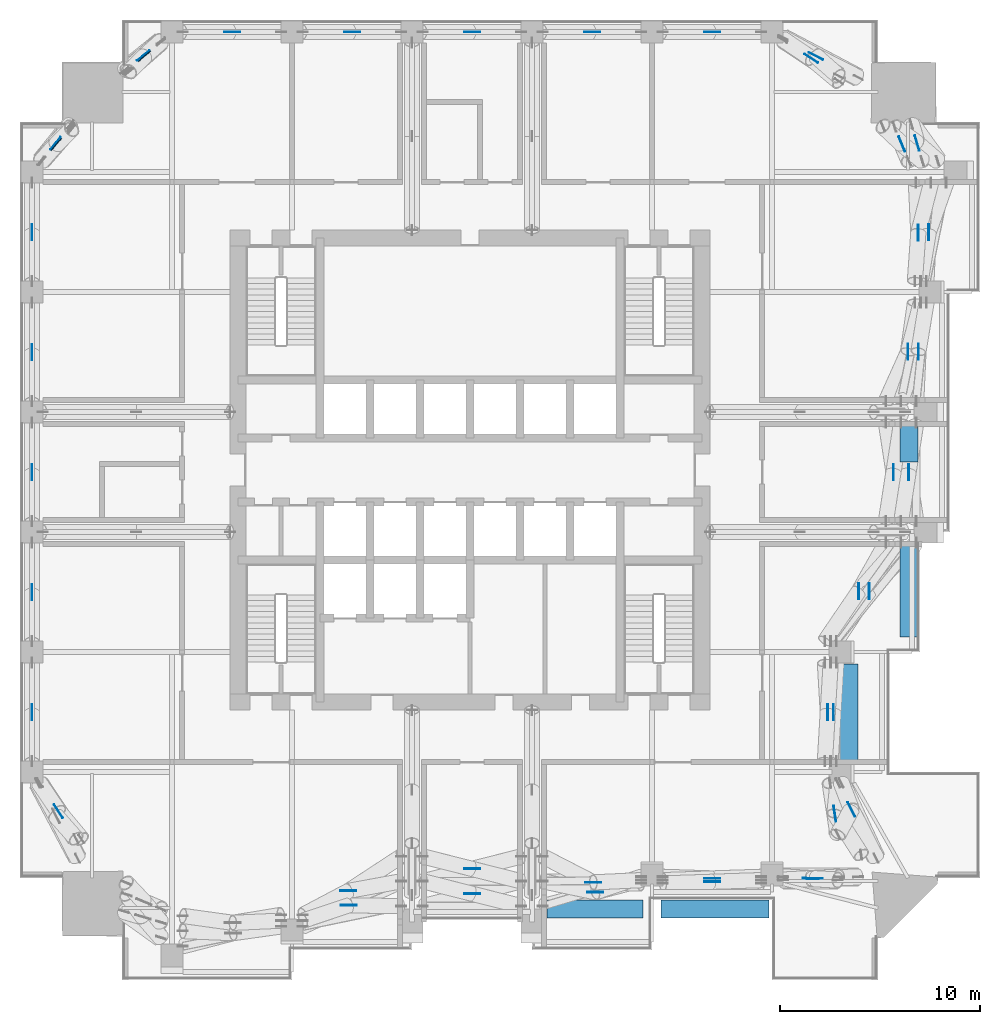
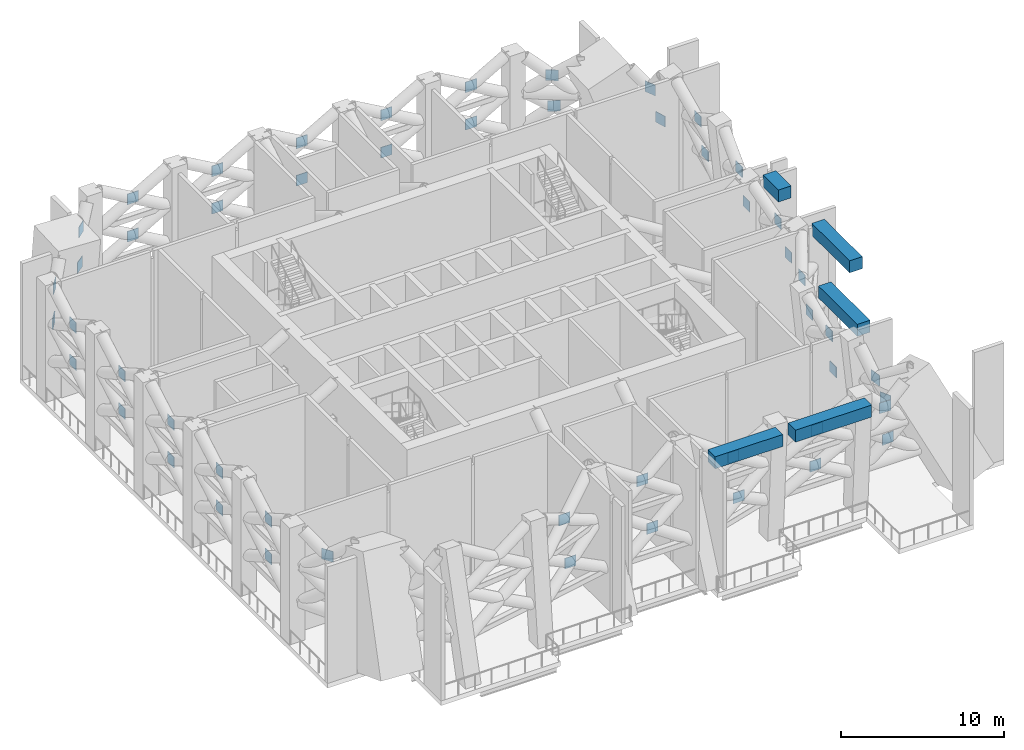
# One storey, part 11 of 19: 56 discrete accessories.
"""IFC4 building model written with IfcOpenShell, lengths in metres."""

from ifc_helpers import new_model, si_unit, direction, frame, origin, origin_2d, place, context, subcontext, project, spatial, rectangle, extrude, element, save


model = new_model("IFC4")

# Units and contexts
model_context = context("Model", 3, precision=1e-05, world=origin(), true_north=direction((0.0, 1.0)))
body_context = subcontext(model_context, "Body", "Model", "MODEL_VIEW")
ifc_project = project(units=[si_unit("LENGTHUNIT", "METRE"), si_unit("AREAUNIT", "SQUARE_METRE"), si_unit("VOLUMEUNIT", "CUBIC_METRE"), si_unit("PLANEANGLEUNIT", "RADIAN"), si_unit("MASSUNIT", "GRAM", prefix="KILO")], contexts=[model_context])

# Site, building, storey
site_placement = place(None, origin())
site = spatial("IfcSite", under=ifc_project, at=site_placement, CompositionType="ELEMENT")
building_placement = place(site_placement, origin())
building = spatial("IfcBuilding", under=site, at=building_placement, Name="Amberfall Residences", CompositionType="ELEMENT")
storey_placement = place(building_placement, frame((0.0, 0.0, 124.89990234375)))
storey = spatial("IfcBuildingStorey", under=building, at=storey_placement, Name="L34", CompositionType="ELEMENT", Elevation=124.89990234375)

# Discrete accessories
for number, where, z_axis, x_axis, name in (
    (1, (68.440185546875, 23.733154296875, 3.80859375), (0.0, 0.0, 1.0), (1.0, 0.0, 0.0), "Connection plate L34"),
    (2, (68.423828125, 24.456298828125, 6.599609375), (0.0, 0.0, 1.0), (1.0, 0.0, 0.0), "Connection plate L34"),
    (3, (74.60009765625, 24.31396484375, 3.89990234375), (0.0, 0.0, 1.0), (1.0, 0.0, 0.0), "Connection plate L34"),
    (4, (74.60009765625, 25.555908203125, 6.7001953125), (0.0, 0.0, 1.0), (1.0, 0.0, 0.0), "Connection plate L34"),
    (5, (80.76318359375, 24.386474609375, 3.9931640625), (0.0, 0.0, 1.0), (1.0, 0.0, 0.0), "Connection plate L34"),
    (6, (80.668212890625, 24.8798828125, 6.7392578125), (0.0, 0.0, 1.0), (1.0, 0.0, 0.0), "Connection plate L34"),
    (7, (86.60009765625, 25.076416015625, 3.89990234375), (0.0, 0.0, 1.0), (1.0, 0.0, 0.0), "Connection plate L34"),
    (8, (86.60009765625, 24.91064453125, 6.7001953125), (0.0, 0.0, 1.0), (1.0, 0.0, 0.0), "Connection plate L34"),
    (9, (92.677490234375, 33.39990234375, 3.89990234375), (0.0, 0.0, 1.0), (0.0, 1.0, 0.0), "Connection plate L34"),
    (10, (92.3896484375, 33.39990234375, 6.7001953125), (0.0, 0.0, 1.0), (0.0, 1.0, 0.0), "Connection plate L34"),
    (11, (94.45849609375, 39.431884765625, 3.91845703125), (0.0, 0.0, 1.0), (0.0, 1.0, 0.0), "Connection plate L34"),
    (12, (93.930419921875, 39.42724609375, 6.71533203125), (0.0, 0.0, 1.0), (0.0, 1.0, 0.0), "Connection plate L34"),
    (13, (96.431884765625, 45.39990234375, 3.89990234375), (0.0, 0.0, 1.0), (0.0, 1.0, 0.0), "Connection plate L34"),
    (14, (95.6748046875, 45.39990234375, 6.7001953125), (0.0, 0.0, 1.0), (0.0, 1.0, 0.0), "Connection plate L34"),
    (15, (96.9228515625, 51.419189453125, 3.9111328125), (0.0, 0.0, 1.0), (0.0, 1.0, 0.0), "Connection plate L34"),
    (16, (96.400634765625, 51.408447265625, 6.705078125), (0.0, 0.0, 1.0), (0.0, 1.0, 0.0), "Connection plate L34"),
    (17, (97.4365234375, 57.380859375, 3.88916015625), (0.0, 0.0, 1.0), (0.0, 1.0, 0.0), "Connection plate L34"),
    (18, (96.91650390625, 57.36962890625, 6.6826171875), (0.0, 0.0, 1.0), (0.0, 1.0, 0.0), "Connection plate L34"),
    (19, (62.60009765625, 67.39990234375, 3.89990234375), (0.0, 0.0, 1.0), (1.0, 0.0, 0.0), "Connection plate L34"),
    (20, (62.60009765625, 67.39990234375, 6.7001953125), (0.0, 0.0, 1.0), (1.0, 0.0, 0.0), "Connection plate L34"),
    (21, (68.60009765625, 67.39990234375, 3.89990234375), (0.0, 0.0, 1.0), (1.0, 0.0, 0.0), "Connection plate L34"),
    (22, (68.60009765625, 67.39990234375, 6.7001953125), (0.0, 0.0, 1.0), (1.0, 0.0, 0.0), "Connection plate L34"),
    (23, (74.60009765625, 67.39990234375, 3.89990234375), (0.0, 0.0, 1.0), (1.0, 0.0, 0.0), "Connection plate L34"),
    (24, (74.60009765625, 67.39990234375, 6.7001953125), (0.0, 0.0, 1.0), (1.0, 0.0, 0.0), "Connection plate L34"),
    (25, (80.60009765625, 67.39990234375, 3.89990234375), (0.0, 0.0, 1.0), (1.0, 0.0, 0.0), "Connection plate L34"),
    (26, (80.60009765625, 67.39990234375, 6.7001953125), (0.0, 0.0, 1.0), (1.0, 0.0, 0.0), "Connection plate L34"),
    (27, (86.60009765625, 67.39990234375, 3.89990234375), (0.0, 0.0, 1.0), (1.0, 0.0, 0.0), "Connection plate L34"),
    (28, (86.60009765625, 67.39990234375, 6.7001953125), (0.0, 0.0, 1.0), (1.0, 0.0, 0.0), "Connection plate L34"),
    (29, (52.60009765625, 33.39990234375, 3.89990234375), (0.0, 0.0, 1.0), (0.0, 1.0, 0.0), "Connection plate L34"),
    (30, (52.60009765625, 33.39990234375, 6.7001953125), (0.0, 0.0, 1.0), (0.0, 1.0, 0.0), "Connection plate L34"),
    (31, (52.60009765625, 39.39990234375, 3.89990234375), (0.0, 0.0, 1.0), (0.0, 1.0, 0.0), "Connection plate L34"),
    (32, (52.60009765625, 39.39990234375, 6.7001953125), (0.0, 0.0, 1.0), (0.0, 1.0, 0.0), "Connection plate L34"),
    (33, (52.60009765625, 45.39990234375, 3.89990234375), (0.0, 0.0, 1.0), (0.0, 1.0, 0.0), "Connection plate L34"),
    (34, (52.60009765625, 45.39990234375, 6.7001953125), (0.0, 0.0, 1.0), (0.0, 1.0, 0.0), "Connection plate L34"),
    (35, (52.60009765625, 51.39990234375, 3.89990234375), (0.0, 0.0, 1.0), (0.0, 1.0, 0.0), "Connection plate L34"),
    (36, (52.60009765625, 51.39990234375, 6.7001953125), (0.0, 0.0, 1.0), (0.0, 1.0, 0.0), "Connection plate L34"),
    (37, (52.60009765625, 57.39990234375, 3.89990234375), (0.0, 0.0, 1.0), (0.0, 1.0, 0.0), "Connection plate L34"),
    (38, (52.60009765625, 57.39990234375, 6.7001953125), (0.0, 0.0, 1.0), (0.0, 1.0, 0.0), "Connection plate L34"),
    (39, (96.85400390625, 61.846923828125, 3.9521484375), (0.0, 0.0, 1.0), (0.284684657889, -0.95862122111, 0.0), "Connection plate L34"),
    (40, (96.094482421875, 61.7998046875, 6.56982421875), (0.0, 0.0, 1.0), (0.387145495653, -0.922018636035, 0.0), "Connection plate L34"),
    (41, (91.793212890625, 66.19921875, 4.09130859375), (0.0, 0.0, 1.0), (-0.891085746907, 0.453834982851, 0.0), "Connection plate L34"),
    (42, (91.569091796875, 66.076416015625, 6.5439453125), (0.0, 0.0, 1.0), (-0.839771514716, 0.542939962677, 0.0), "Connection plate L34"),
    (43, (58.1591796875, 66.217529296875, 3.9501953125), (0.0, 0.0, 1.0), (0.784072748669, 0.620668933325, 0.0), "Connection plate L34"),
    (44, (58.219482421875, 66.1845703125, 6.59814453125), (0.0, 0.0, 1.0), (0.762679618191, 0.646776468338, 0.0), "Connection plate L34"),
    (45, (53.782470703125, 61.8408203125, 3.9501953125), (0.0, 0.0, 1.0), (-0.620668933325, -0.784072748669, 0.0), "Connection plate L34"),
    (46, (53.8154296875, 61.780517578125, 6.59814453125), (0.0, 0.0, 1.0), (-0.646776468338, -0.762679618191, 0.0), "Connection plate L34"),
    (47, (93.570068359375, 28.532958984375, 4.3203125), (0.0, 0.0, 1.0), (-0.452621477025, 0.891702752343, 0.0), "Connection plate L34"),
    (48, (92.7421875, 28.31884765625, 6.31982421875), (0.0, 0.0, 1.0), (-0.150639701404, 0.988588731658, 0.0), "Connection plate L34"),
    (49, (91.7353515625, 25.062744140625, 4.13232421875), (0.0, 0.0, 1.0), (-0.99913448503, -0.041596644372, 0.0), "Connection plate L34"),
    (50, (91.534912109375, 25.06982421875, 6.55419921875), (0.0, 0.0, 1.0), (-0.998544211419, 0.053939390437, 0.0), "Connection plate L34"),
    (51, (53.923583984375, 28.430908203125, 6.5439453125), (0.0, 0.0, 1.0), (-0.542939962677, 0.839771514716, 0.0), "Connection plate L34"),
):
    element("IfcDiscreteAccessory", number, at=place(storey_placement, frame(where, z_axis=z_axis, x_axis=x_axis)), inside=storey, Name=name, PredefinedType="BRACKET", context=body_context, shape_type="SweptSolid", body=[
        extrude(rectangle(XDim=0.800048828125, YDim=0.0400390625, at=origin_2d()), origin(), (0.0, 0.0, 1.0), 0.800048828125),
    ])
discrete_accessory_1_placement = place(storey_placement, frame((80.75, 23.550048828125, 8.10009765625), z_axis=(0.0, 0.0, 1.0), x_axis=(1.0, 0.0, 0.0)))
element("IfcDiscreteAccessory", 52, at=discrete_accessory_1_placement, inside=storey, Name="Planter box L35 S5", ObjectType="PLANTER BOX", PredefinedType="USERDEFINED", context=body_context, shape_type="SweptSolid", body=[
    extrude(rectangle(XDim=4.800048828125, YDim=0.89990234375, at=origin_2d()), origin(), (0.0, 0.0, 1.0), 0.89990234375),
])
discrete_accessory_2_placement = place(storey_placement, frame((86.75, 23.550048828125, 8.10009765625), z_axis=(0.0, 0.0, 1.0), x_axis=(1.0, 0.0, 0.0)))
element("IfcDiscreteAccessory", 53, at=discrete_accessory_2_placement, inside=storey, Name="Planter box L35 S6", ObjectType="PLANTER BOX", PredefinedType="USERDEFINED", context=body_context, shape_type="SweptSolid", body=[
    extrude(rectangle(XDim=5.39990234375, YDim=0.89990234375, at=origin_2d()), origin(), (0.0, 0.0, 1.0), 0.89990234375),
])
discrete_accessory_3_placement = place(storey_placement, frame((93.449951171875, 33.39990234375, 8.10009765625), z_axis=(0.0, 0.0, 1.0), x_axis=(0.0, 1.0, 0.0)))
element("IfcDiscreteAccessory", 54, at=discrete_accessory_3_placement, inside=storey, Name="Planter box L35 E3", ObjectType="PLANTER BOX", PredefinedType="USERDEFINED", context=body_context, shape_type="SweptSolid", body=[
    extrude(rectangle(XDim=4.780029296875, YDim=0.89990234375, at=origin_2d()), origin(), (0.0, 0.0, 1.0), 0.89990234375),
])
discrete_accessory_4_placement = place(storey_placement, frame((96.449951171875, 39.47216796875, 8.10009765625), z_axis=(0.0, 0.0, 1.0), x_axis=(0.0, 1.0, 0.0)))
element("IfcDiscreteAccessory", 55, at=discrete_accessory_4_placement, inside=storey, Name="Planter box L35 E5", ObjectType="PLANTER BOX", PredefinedType="USERDEFINED", context=body_context, shape_type="SweptSolid", body=[
    extrude(rectangle(XDim=4.644287109375, YDim=0.89990234375, at=origin_2d()), origin(), (0.0, 0.0, 1.0), 0.89990234375),
])
discrete_accessory_5_placement = place(storey_placement, frame((96.449951171875, 46.85009765625, 8.10009765625), z_axis=(0.0, 0.0, 1.0), x_axis=(0.0, 1.0, 0.0)))
element("IfcDiscreteAccessory", 56, at=discrete_accessory_5_placement, inside=storey, Name="Planter box L35 E6", ObjectType="PLANTER BOX", PredefinedType="USERDEFINED", context=body_context, shape_type="SweptSolid", body=[
    extrude(rectangle(XDim=1.887939453125, YDim=0.89990234375, at=origin_2d()), origin(), (0.0, 0.0, 1.0), 0.89990234375),
])

save(model, "model.ifc")
